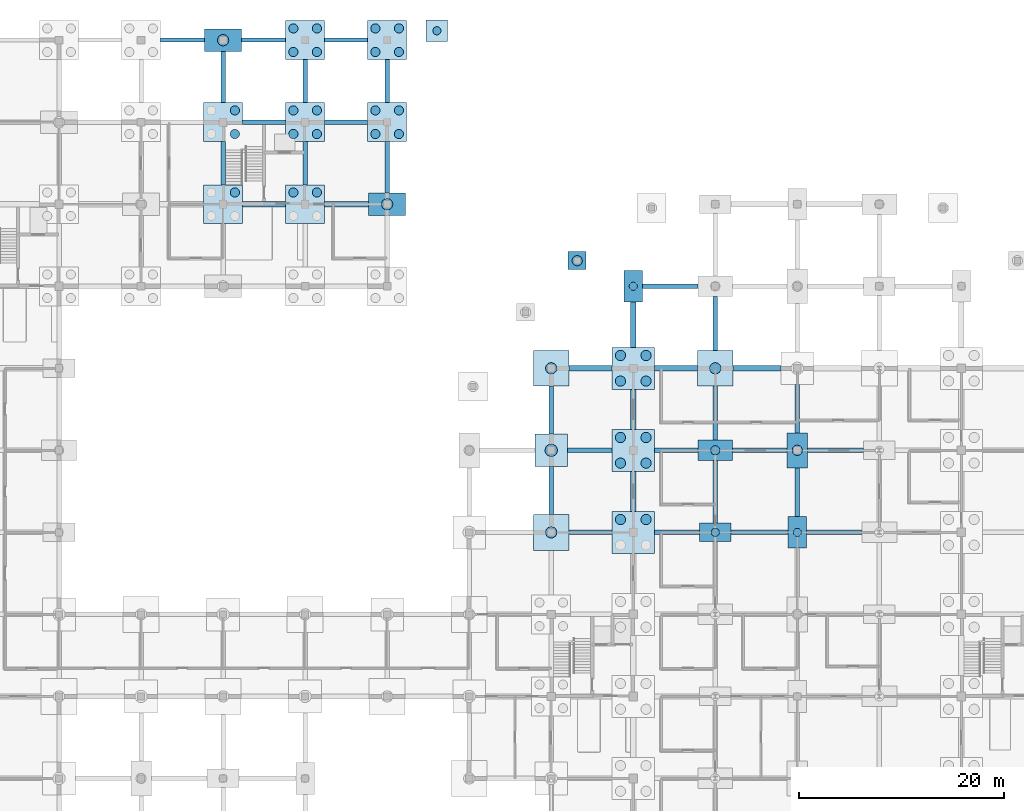
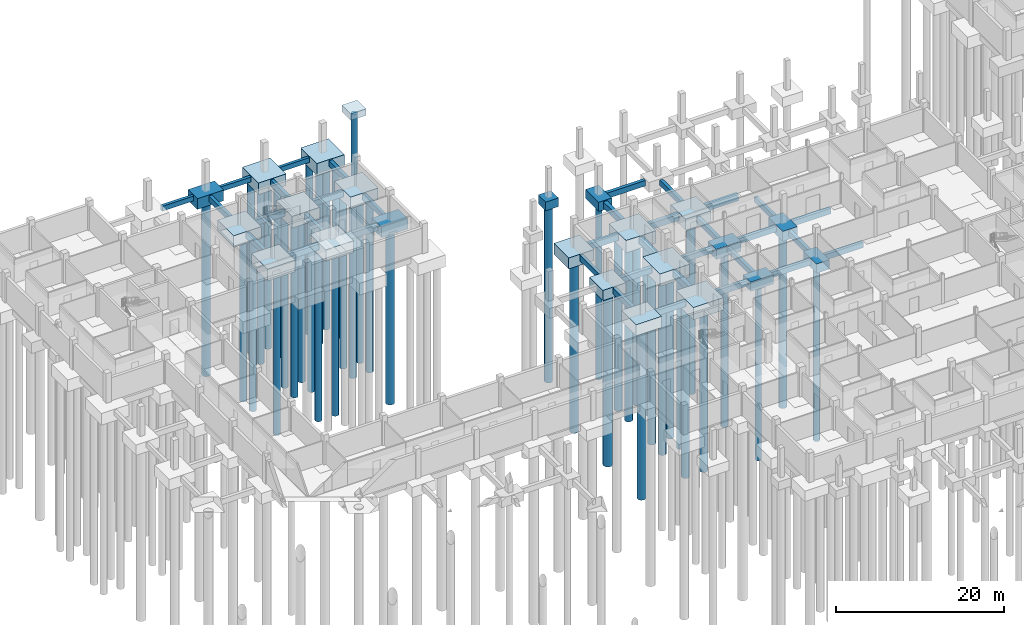
# One storey, part 7 of 48: 58 footings, 44 piles.
"""IFC4 building model written with IfcOpenShell, lengths in metres."""

from ifc_helpers import new_model, si_unit, derived_unit, direction, frame, origin, origin_2d, place, context, subcontext, project, spatial, rectangle, circle, extrude, material, material_profile, profile_set, type_object, element, save


model = new_model("IFC4")

# Units and contexts
model_context = context("Model", 3, precision=1e-05, world=origin(), true_north=direction((0.0, 1.0)))
body_context = subcontext(model_context, "Body", "Model", "MODEL_VIEW")
ifc_project = project(units=[si_unit("LENGTHUNIT", "METRE"), si_unit("AREAUNIT", "SQUARE_METRE"), si_unit("VOLUMEUNIT", "CUBIC_METRE"), si_unit("PLANEANGLEUNIT", "RADIAN"), si_unit("MASSUNIT", "GRAM", prefix="KILO"), derived_unit("THERMALTRANSMITTANCEUNIT", [(si_unit("MASSUNIT", "GRAM", prefix="KILO"), 1), (si_unit("TIMEUNIT", "SECOND"), -3), (si_unit("THERMODYNAMICTEMPERATUREUNIT", "KELVIN"), -1)])], contexts=[model_context])

# Site, building, storey
site_placement = place(None, origin())
site = spatial("IfcSite", under=ifc_project, at=site_placement, CompositionType="ELEMENT")
building_placement = place(site_placement, origin())
building = spatial("IfcBuilding", under=site, at=building_placement, Name="Veyamyaing Civic Hall", CompositionType="ELEMENT")
storey_placement = place(building_placement, frame((0.0, 0.0, -4.2900390625)))
storey = spatial("IfcBuildingStorey", under=building, at=storey_placement, Name="B1", CompositionType="ELEMENT", Elevation=-4.2900390625)

# Footings
ifc_material_1 = material(Name="Concrete C40/50", Category="concrete")
ifc_material_profile_1 = material_profile(ifc_material_1, rectangle(XDim=0.5, YDim=0.85009765625, at=origin_2d()), Name="GB-500X850")
ifc_profile_set_1 = profile_set([ifc_material_profile_1], Name="Concrete C40/50")
footing_type_1 = type_object("IfcFootingType", Name="GB-01", PredefinedType="FOOTING_BEAM", material=ifc_profile_set_1)
footing_1_placement = place(storey_placement, frame((33.89990234375, 96.0, -0.574951171875), z_axis=(1.0, 0.0, 0.0), x_axis=(0.0, 1.0, 0.0)))
element("IfcFooting", 1, at=footing_1_placement, inside=storey, type_object=footing_type_1, Name="Footing tie beam GB-01 X 4-12", PredefinedType="FOOTING_BEAM", context=body_context, shape_type="SweptSolid", body=[
    extrude(rectangle(XDim=0.5, YDim=0.85009765625, at=origin_2d()), origin(), (0.0, 0.0, 1.0), 4.2001953125),
])
footing_2_placement = place(storey_placement, frame((41.89990234375, 96.0, -0.574951171875), z_axis=(1.0, 0.0, 0.0), x_axis=(0.0, 1.0, 0.0)))
element("IfcFooting", 2, at=footing_2_placement, inside=storey, type_object=footing_type_1, Name="Footing tie beam GB-01 X 5-12", PredefinedType="FOOTING_BEAM", context=body_context, shape_type="SweptSolid", body=[
    extrude(rectangle(XDim=0.5, YDim=0.85009765625, at=origin_2d()), origin(), (0.0, 0.0, 1.0), 4.300048828125),
])
ifc_material_profile_2 = material_profile(ifc_material_1, rectangle(XDim=0.449951171875, YDim=0.800048828125, at=origin_2d()), Name="GB-450X800")
ifc_profile_set_2 = profile_set([ifc_material_profile_2], Name="Concrete C40/50")
footing_type_2 = type_object("IfcFootingType", Name="GB-02", PredefinedType="FOOTING_BEAM", material=ifc_profile_set_2)
for number, where, z_axis, x_axis, name in (
    (3, (32.0, 97.89990234375, -0.550048828125), (0.0, 1.0, 0.0), (-1.0, 0.0, 0.0), "Footing tie beam GB-02 Y 4-12"),
    (4, (33.89990234375, 104.0, -0.550048828125), (1.0, 0.0, 0.0), (0.0, 1.0, 0.0), "Footing tie beam GB-02 X 4-13"),
):
    element("IfcFooting", number, at=place(storey_placement, frame(where, z_axis=z_axis, x_axis=x_axis)), inside=storey, type_object=footing_type_2, Name=name, PredefinedType="FOOTING_BEAM", context=body_context, shape_type="SweptSolid", body=[
        extrude(rectangle(XDim=0.449951171875, YDim=0.800048828125, at=origin_2d()), origin(), (0.0, 0.0, 1.0), 4.2001953125),
    ])
footing_3_placement = place(storey_placement, frame((32.0, 105.89990234375, -0.550048828125), z_axis=(0.0, 1.0, 0.0), x_axis=(-1.0, 0.0, 0.0)))
element("IfcFooting", 5, at=footing_3_placement, inside=storey, type_object=footing_type_2, Name="Footing tie beam GB-02 Y 4-13", PredefinedType="FOOTING_BEAM", context=body_context, shape_type="SweptSolid", body=[
    extrude(rectangle(XDim=0.449951171875, YDim=0.800048828125, at=origin_2d()), origin(), (0.0, 0.0, 1.0), 5.0),
])
for number, where, z_axis, x_axis, name in (
    (6, (40.0, 97.89990234375, -0.550048828125), (0.0, 1.0, 0.0), (-1.0, 0.0, 0.0), "Footing tie beam GB-02 Y 5-12"),
    (7, (41.89990234375, 104.0, -0.550048828125), (1.0, 0.0, 0.0), (0.0, 1.0, 0.0), "Footing tie beam GB-02 X 5-13"),
    (8, (40.0, 105.89990234375, -0.550048828125), (0.0, 1.0, 0.0), (-1.0, 0.0, 0.0), "Footing tie beam GB-02 Y 5-13"),
):
    element("IfcFooting", number, at=place(storey_placement, frame(where, z_axis=z_axis, x_axis=x_axis)), inside=storey, type_object=footing_type_2, Name=name, PredefinedType="FOOTING_BEAM", context=body_context, shape_type="SweptSolid", body=[
        extrude(rectangle(XDim=0.449951171875, YDim=0.800048828125, at=origin_2d()), origin(), (0.0, 0.0, 1.0), 4.2001953125),
    ])
footing_4_placement = place(storey_placement, frame((48.0, 97.10009765625, -0.550048828125), z_axis=(0.0, 1.0, 0.0), x_axis=(-1.0, 0.0, 0.0)))
element("IfcFooting", 9, at=footing_4_placement, inside=storey, type_object=footing_type_2, Name="Footing tie beam GB-02 Y 6-12", PredefinedType="FOOTING_BEAM", context=body_context, shape_type="SweptSolid", body=[
    extrude(rectangle(XDim=0.449951171875, YDim=0.800048828125, at=origin_2d()), origin(), (0.0, 0.0, 1.0), 5.0),
])
footing_5_placement = place(storey_placement, frame((48.0, 105.89990234375, -0.550048828125), z_axis=(0.0, 1.0, 0.0), x_axis=(-1.0, 0.0, 0.0)))
element("IfcFooting", 10, at=footing_5_placement, inside=storey, type_object=footing_type_2, Name="Footing tie beam GB-02 Y 6-13", PredefinedType="FOOTING_BEAM", context=body_context, shape_type="SweptSolid", body=[
    extrude(rectangle(XDim=0.449951171875, YDim=0.800048828125, at=origin_2d()), origin(), (0.0, 0.0, 1.0), 4.2001953125),
])
footing_6_placement = place(storey_placement, frame((65.75, 64.0, -0.550048828125), z_axis=(1.0, 0.0, 0.0), x_axis=(0.0, 1.0, 0.0)))
element("IfcFooting", 11, at=footing_6_placement, inside=storey, type_object=footing_type_2, Name="Footing tie beam GB-02 X 8-8", PredefinedType="FOOTING_BEAM", context=body_context, shape_type="SweptSolid", body=[
    extrude(rectangle(XDim=0.449951171875, YDim=0.800048828125, at=origin_2d()), origin(), (0.0, 0.0, 1.0), 4.199951171875),
])
footing_7_placement = place(storey_placement, frame((64.0, 65.75, -0.550048828125), z_axis=(0.0, 1.0, 0.0), x_axis=(-1.0, 0.0, 0.0)))
element("IfcFooting", 12, at=footing_7_placement, inside=storey, type_object=footing_type_2, Name="Footing tie beam GB-02 Y 8-8", PredefinedType="FOOTING_BEAM", context=body_context, shape_type="SweptSolid", body=[
    extrude(rectangle(XDim=0.449951171875, YDim=0.800048828125, at=origin_2d()), origin(), (0.0, 0.0, 1.0), 4.64990234375),
])
footing_8_placement = place(storey_placement, frame((65.60009765625, 72.0, -0.550048828125), z_axis=(1.0, 0.0, 0.0), x_axis=(0.0, 1.0, 0.0)))
element("IfcFooting", 13, at=footing_8_placement, inside=storey, type_object=footing_type_2, Name="Footing tie beam GB-02 X 8-9", PredefinedType="FOOTING_BEAM", context=body_context, shape_type="SweptSolid", body=[
    extrude(rectangle(XDim=0.449951171875, YDim=0.800048828125, at=origin_2d()), origin(), (0.0, 0.0, 1.0), 4.349853515625),
])
footing_9_placement = place(storey_placement, frame((64.0, 73.60009765625, -0.550048828125), z_axis=(0.0, 1.0, 0.0), x_axis=(-1.0, 0.0, 0.0)))
element("IfcFooting", 14, at=footing_9_placement, inside=storey, type_object=footing_type_2, Name="Footing tie beam GB-02 Y 8-9", PredefinedType="FOOTING_BEAM", context=body_context, shape_type="SweptSolid", body=[
    extrude(rectangle(XDim=0.449951171875, YDim=0.800048828125, at=origin_2d()), origin(), (0.0, 0.0, 1.0), 4.64990234375),
])
footing_10_placement = place(storey_placement, frame((74.050048828125, 64.0, -0.550048828125), z_axis=(1.0, 0.0, 0.0), x_axis=(0.0, 1.0, 0.0)))
element("IfcFooting", 15, at=footing_10_placement, inside=storey, type_object=footing_type_2, Name="Footing tie beam GB-02 X 9-8", PredefinedType="FOOTING_BEAM", context=body_context, shape_type="SweptSolid", body=[
    extrude(rectangle(XDim=0.449951171875, YDim=0.800048828125, at=origin_2d()), origin(), (0.0, 0.0, 1.0), 4.39990234375),
])
footing_11_placement = place(storey_placement, frame((74.050048828125, 72.0, -0.550048828125), z_axis=(1.0, 0.0, 0.0), x_axis=(0.0, 1.0, 0.0)))
element("IfcFooting", 16, at=footing_11_placement, inside=storey, type_object=footing_type_2, Name="Footing tie beam GB-02 X 9-9", PredefinedType="FOOTING_BEAM", context=body_context, shape_type="SweptSolid", body=[
    extrude(rectangle(XDim=0.449951171875, YDim=0.800048828125, at=origin_2d()), origin(), (0.0, 0.0, 1.0), 4.25),
])
footing_12_placement = place(storey_placement, frame((72.89990234375, 88.0, -0.550048828125), z_axis=(1.0, 0.0, 0.0), x_axis=(0.0, 1.0, 0.0)))
element("IfcFooting", 17, at=footing_12_placement, inside=storey, type_object=footing_type_2, Name="Footing tie beam GB-02 X 9-11", PredefinedType="FOOTING_BEAM", context=body_context, shape_type="SweptSolid", body=[
    extrude(rectangle(XDim=0.449951171875, YDim=0.800048828125, at=origin_2d()), origin(), (0.0, 0.0, 1.0), 5.400146484375),
])
footing_13_placement = place(storey_placement, frame((81.550048828125, 64.0, -0.550048828125), z_axis=(1.0, 0.0, 0.0), x_axis=(0.0, 1.0, 0.0)))
element("IfcFooting", 18, at=footing_13_placement, inside=storey, type_object=footing_type_2, Name="Footing tie beam GB-02 X 10-8", PredefinedType="FOOTING_BEAM", context=body_context, shape_type="SweptSolid", body=[
    extrude(rectangle(XDim=0.449951171875, YDim=0.800048828125, at=origin_2d()), origin(), (0.0, 0.0, 1.0), 5.550048828125),
])
footing_14_placement = place(storey_placement, frame((80.0, 64.89990234375, -0.550048828125), z_axis=(0.0, 1.0, 0.0), x_axis=(-1.0, 0.0, 0.0)))
element("IfcFooting", 19, at=footing_14_placement, inside=storey, type_object=footing_type_2, Name="Footing tie beam GB-02 Y 10-8", PredefinedType="FOOTING_BEAM", context=body_context, shape_type="SweptSolid", body=[
    extrude(rectangle(XDim=0.449951171875, YDim=0.800048828125, at=origin_2d()), origin(), (0.0, 0.0, 1.0), 6.10009765625),
])
footing_15_placement = place(storey_placement, frame((81.699951171875, 72.0, -0.550048828125), z_axis=(1.0, 0.0, 0.0), x_axis=(0.0, 1.0, 0.0)))
element("IfcFooting", 20, at=footing_15_placement, inside=storey, type_object=footing_type_2, Name="Footing tie beam GB-02 X 10-9", PredefinedType="FOOTING_BEAM", context=body_context, shape_type="SweptSolid", body=[
    extrude(rectangle(XDim=0.449951171875, YDim=0.800048828125, at=origin_2d()), origin(), (0.0, 0.0, 1.0), 5.300048828125),
])
for number, where, z_axis, x_axis, name in (
    (21, (80.0, 73.0, -0.550048828125), (0.0, 1.0, 0.0), (-1.0, 0.0, 0.0), "Footing tie beam GB-02 Y 10-9"),
    (22, (80.0, 81.75, -0.550048828125), (0.0, 1.0, 0.0), (-1.0, 0.0, 0.0), "Footing tie beam GB-02 Y 10-10"),
):
    element("IfcFooting", number, at=place(storey_placement, frame(where, z_axis=z_axis, x_axis=x_axis)), inside=storey, type_object=footing_type_2, Name=name, PredefinedType="FOOTING_BEAM", context=body_context, shape_type="SweptSolid", body=[
        extrude(rectangle(XDim=0.449951171875, YDim=0.800048828125, at=origin_2d()), origin(), (0.0, 0.0, 1.0), 5.25),
    ])
footing_16_placement = place(storey_placement, frame((88.89990234375, 64.0, -0.550048828125), z_axis=(1.0, 0.0, 0.0), x_axis=(0.0, 1.0, 0.0)))
element("IfcFooting", 23, at=footing_16_placement, inside=storey, type_object=footing_type_2, Name="Footing tie beam GB-02 X 11-8", PredefinedType="FOOTING_BEAM", context=body_context, shape_type="SweptSolid", body=[
    extrude(rectangle(XDim=0.449951171875, YDim=0.800048828125, at=origin_2d()), origin(), (0.0, 0.0, 1.0), 5.400146484375),
])
footing_17_placement = place(storey_placement, frame((88.0, 65.550048828125, -0.550048828125), z_axis=(0.0, 1.0, 0.0), x_axis=(-1.0, 0.0, 0.0)))
element("IfcFooting", 24, at=footing_17_placement, inside=storey, type_object=footing_type_2, Name="Footing tie beam GB-02 Y 11-8", PredefinedType="FOOTING_BEAM", context=body_context, shape_type="SweptSolid", body=[
    extrude(rectangle(XDim=0.449951171875, YDim=0.800048828125, at=origin_2d()), origin(), (0.0, 0.0, 1.0), 4.75),
])
footing_18_placement = place(storey_placement, frame((89.0, 72.0, -0.550048828125), z_axis=(1.0, 0.0, 0.0), x_axis=(0.0, 1.0, 0.0)))
element("IfcFooting", 25, at=footing_18_placement, inside=storey, type_object=footing_type_2, Name="Footing tie beam GB-02 X 11-9", PredefinedType="FOOTING_BEAM", context=body_context, shape_type="SweptSolid", body=[
    extrude(rectangle(XDim=0.449951171875, YDim=0.800048828125, at=origin_2d()), origin(), (0.0, 0.0, 1.0), 5.449951171875),
])
footing_19_placement = place(storey_placement, frame((88.0, 73.699951171875, -0.550048828125), z_axis=(0.0, 1.0, 0.0), x_axis=(-1.0, 0.0, 0.0)))
element("IfcFooting", 26, at=footing_19_placement, inside=storey, type_object=footing_type_2, Name="Footing tie beam GB-02 Y 11-9", PredefinedType="FOOTING_BEAM", context=body_context, shape_type="SweptSolid", body=[
    extrude(rectangle(XDim=0.449951171875, YDim=0.800048828125, at=origin_2d()), origin(), (0.0, 0.0, 1.0), 4.699951171875),
])
ifc_material_profile_3 = material_profile(ifc_material_1, rectangle(XDim=0.39990234375, YDim=0.699951171875, at=origin_2d()), Name="GB-400X700")
ifc_profile_set_3 = profile_set([ifc_material_profile_3], Name="Concrete C40/50")
footing_type_3 = type_object("IfcFootingType", Name="GB-03", PredefinedType="FOOTING_BEAM", material=ifc_profile_set_3)
for number, where, z_axis, x_axis, name in (
    (27, (25.89990234375, 112.0, -0.5), (1.0, 0.0, 0.0), (0.0, 1.0, 0.0), "Footing tie beam GB-03 X 3-14"),
    (28, (33.800048828125, 112.0, -0.5), (1.0, 0.0, 0.0), (0.0, 1.0, 0.0), "Footing tie beam GB-03 X 4-14"),
):
    element("IfcFooting", number, at=place(storey_placement, frame(where, z_axis=z_axis, x_axis=x_axis)), inside=storey, type_object=footing_type_3, Name=name, PredefinedType="FOOTING_BEAM", context=body_context, shape_type="SweptSolid", body=[
        extrude(rectangle(XDim=0.39990234375, YDim=0.699951171875, at=origin_2d()), origin(), (0.0, 0.0, 1.0), 4.300048828125),
    ])
footing_20_placement = place(storey_placement, frame((41.89990234375, 112.0, -0.5), z_axis=(1.0, 0.0, 0.0), x_axis=(0.0, 1.0, 0.0)))
element("IfcFooting", 29, at=footing_20_placement, inside=storey, type_object=footing_type_3, Name="Footing tie beam GB-03 X 5-14", PredefinedType="FOOTING_BEAM", context=body_context, shape_type="SweptSolid", body=[
    extrude(rectangle(XDim=0.39990234375, YDim=0.699951171875, at=origin_2d()), origin(), (0.0, 0.0, 1.0), 4.2001953125),
])
ifc_material_profile_4 = material_profile(ifc_material_1, rectangle(XDim=0.550048828125, YDim=0.89990234375, at=origin_2d()), Name="GB-550X900")
ifc_profile_set_4 = profile_set([ifc_material_profile_4], Name="Concrete C40/50")
footing_type_4 = type_object("IfcFootingType", Name="GB-04", PredefinedType="FOOTING_BEAM", material=ifc_profile_set_4)
footing_21_placement = place(storey_placement, frame((65.75, 80.0, -0.599853515625), z_axis=(1.0, 0.0, 0.0), x_axis=(0.0, 1.0, 0.0)))
element("IfcFooting", 30, at=footing_21_placement, inside=storey, type_object=footing_type_4, Name="Footing tie beam GB-04 X 8-10", PredefinedType="FOOTING_BEAM", context=body_context, shape_type="SweptSolid", body=[
    extrude(rectangle(XDim=0.550048828125, YDim=0.89990234375, at=origin_2d()), origin(), (0.0, 0.0, 1.0), 4.199951171875),
])
for number, where, z_axis, x_axis, name in (
    (31, (72.0, 66.050048828125, -0.599853515625), (0.0, 1.0, 0.0), (-1.0, 0.0, 0.0), "Footing tie beam GB-04 Y 9-8"),
    (32, (72.0, 74.050048828125, -0.599853515625), (0.0, 1.0, 0.0), (-1.0, 0.0, 0.0), "Footing tie beam GB-04 Y 9-9"),
):
    element("IfcFooting", number, at=place(storey_placement, frame(where, z_axis=z_axis, x_axis=x_axis)), inside=storey, type_object=footing_type_4, Name=name, PredefinedType="FOOTING_BEAM", context=body_context, shape_type="SweptSolid", body=[
        extrude(rectangle(XDim=0.550048828125, YDim=0.89990234375, at=origin_2d()), origin(), (0.0, 0.0, 1.0), 3.89990234375),
    ])
footing_22_placement = place(storey_placement, frame((74.050048828125, 80.0, -0.599853515625), z_axis=(1.0, 0.0, 0.0), x_axis=(0.0, 1.0, 0.0)))
element("IfcFooting", 33, at=footing_22_placement, inside=storey, type_object=footing_type_4, Name="Footing tie beam GB-04 X 9-10", PredefinedType="FOOTING_BEAM", context=body_context, shape_type="SweptSolid", body=[
    extrude(rectangle(XDim=0.550048828125, YDim=0.89990234375, at=origin_2d()), origin(), (0.0, 0.0, 1.0), 4.199951171875),
])
footing_23_placement = place(storey_placement, frame((72.0, 82.050048828125, -0.599853515625), z_axis=(0.0, 1.0, 0.0), x_axis=(-1.0, 0.0, 0.0)))
element("IfcFooting", 34, at=footing_23_placement, inside=storey, type_object=footing_type_4, Name="Footing tie beam GB-04 Y 9-10", PredefinedType="FOOTING_BEAM", context=body_context, shape_type="SweptSolid", body=[
    extrude(rectangle(XDim=0.550048828125, YDim=0.89990234375, at=origin_2d()), origin(), (0.0, 0.0, 1.0), 4.39990234375),
])
footing_24_placement = place(storey_placement, frame((81.75, 80.0, -0.599853515625), z_axis=(1.0, 0.0, 0.0), x_axis=(0.0, 1.0, 0.0)))
element("IfcFooting", 35, at=footing_24_placement, inside=storey, type_object=footing_type_4, Name="Footing tie beam GB-04 X 10-10", PredefinedType="FOOTING_BEAM", context=body_context, shape_type="SweptSolid", body=[
    extrude(rectangle(XDim=0.550048828125, YDim=0.89990234375, at=origin_2d()), origin(), (0.0, 0.0, 1.0), 4.64990234375),
])

# Piles
ifc_material_2 = material(Name="Concrete C35/45", Category="concrete")
ifc_material_profile_5 = material_profile(ifc_material_2, circle(Radius=0.60009765625, at=origin_2d()), Name="PILE-D1200")
ifc_profile_set_5 = profile_set([ifc_material_profile_5], Name="Concrete C35/45")
pile_type_1 = type_object("IfcPileType", Name="P-01", PredefinedType="BORED", material=ifc_profile_set_5)
pile_1_placement = place(storey_placement, frame((64.0, 72.0, -1.39990234375), z_axis=(0.0, 0.0, -1.0), x_axis=(1.0, 0.0, 0.0)))
element("IfcPile", 36, at=pile_1_placement, inside=storey, type_object=pile_type_1, Name="Bored pile P-01 G08-09.1", PredefinedType="BORED", context=body_context, shape_type="SweptSolid", body=[
    extrude(circle(Radius=0.60009765625, at=origin_2d()), origin(), (0.0, 0.0, 1.0), 25.31005859375),
])
ifc_material_profile_6 = material_profile(ifc_material_2, circle(Radius=0.550048828125, at=origin_2d()), Name="PILE-D1100")
ifc_profile_set_6 = profile_set([ifc_material_profile_6], Name="Concrete C35/45")
pile_type_2 = type_object("IfcPileType", Name="P-02", PredefinedType="BORED", material=ifc_profile_set_6)
for number, where, z_axis, x_axis, name in (
    (37, (32.0, 112.0, -1.449951171875), (0.0, 0.0, -1.0), (1.0, 0.0, 0.0), "Bored pile P-02 G04-14.1"),
    (38, (48.0, 96.0, -1.449951171875), (0.0, 0.0, -1.0), (1.0, 0.0, 0.0), "Bored pile P-02 G06-12.1"),
):
    element("IfcPile", number, at=place(storey_placement, frame(where, z_axis=z_axis, x_axis=x_axis)), inside=storey, type_object=pile_type_2, Name=name, PredefinedType="BORED", context=body_context, shape_type="SweptSolid", body=[
        extrude(circle(Radius=0.550048828125, at=origin_2d()), origin(), (0.0, 0.0, 1.0), 25.260009765625),
    ])
for number, where, z_axis, x_axis, name in (
    (39, (64.0, 64.0, -1.5), (0.0, 0.0, -1.0), (1.0, 0.0, 0.0), "Bored pile P-02 G08-08.1"),
    (40, (64.0, 80.0, -1.5), (0.0, 0.0, -1.0), (1.0, 0.0, 0.0), "Bored pile P-02 G08-10.1"),
    (41, (80.0, 80.0, -1.5), (0.0, 0.0, -1.0), (1.0, 0.0, 0.0), "Bored pile P-02 G10-10.1"),
):
    element("IfcPile", number, at=place(storey_placement, frame(where, z_axis=z_axis, x_axis=x_axis)), inside=storey, type_object=pile_type_2, Name=name, PredefinedType="BORED", context=body_context, shape_type="SweptSolid", body=[
        extrude(circle(Radius=0.550048828125, at=origin_2d()), origin(), (0.0, 0.0, 1.0), 25.2099609375),
    ])
ifc_material_profile_7 = material_profile(ifc_material_2, circle(Radius=0.5, at=origin_2d()), Name="PILE-D1000")
ifc_profile_set_7 = profile_set([ifc_material_profile_7], Name="Concrete C35/45")
pile_type_3 = type_object("IfcPileType", Name="P-03", PredefinedType="BORED", material=ifc_profile_set_7)
for number, where, z_axis, x_axis, name in (
    (42, (70.75, 65.25, -1.699951171875), (0.0, 0.0, -1.0), (1.0, 0.0, 0.0), "Bored pile P-03 G09-08.2"),
    (43, (73.25, 65.25, -1.699951171875), (0.0, 0.0, -1.0), (1.0, 0.0, 0.0), "Bored pile P-03 G09-08.4"),
    (44, (70.75, 70.75, -1.699951171875), (0.0, 0.0, -1.0), (1.0, 0.0, 0.0), "Bored pile P-03 G09-09.1"),
    (45, (70.75, 73.25, -1.699951171875), (0.0, 0.0, -1.0), (1.0, 0.0, 0.0), "Bored pile P-03 G09-09.2"),
    (46, (73.25, 70.75, -1.699951171875), (0.0, 0.0, -1.0), (1.0, 0.0, 0.0), "Bored pile P-03 G09-09.3"),
    (47, (73.25, 73.25, -1.699951171875), (0.0, 0.0, -1.0), (1.0, 0.0, 0.0), "Bored pile P-03 G09-09.4"),
    (48, (70.75, 78.75, -1.699951171875), (0.0, 0.0, -1.0), (1.0, 0.0, 0.0), "Bored pile P-03 G09-10.1"),
    (49, (70.75, 81.25, -1.699951171875), (0.0, 0.0, -1.0), (1.0, 0.0, 0.0), "Bored pile P-03 G09-10.2"),
    (50, (73.25, 78.75, -1.699951171875), (0.0, 0.0, -1.0), (1.0, 0.0, 0.0), "Bored pile P-03 G09-10.3"),
    (51, (73.25, 81.25, -1.699951171875), (0.0, 0.0, -1.0), (1.0, 0.0, 0.0), "Bored pile P-03 G09-10.4"),
):
    element("IfcPile", number, at=place(storey_placement, frame(where, z_axis=z_axis, x_axis=x_axis)), inside=storey, type_object=pile_type_3, Name=name, PredefinedType="BORED", context=body_context, shape_type="SweptSolid", body=[
        extrude(circle(Radius=0.5, at=origin_2d()), origin(), (0.0, 0.0, 1.0), 25.010009765625),
    ])
pile_2_placement = place(storey_placement, frame((88.0, 72.0, -1.349853515625), z_axis=(0.0, 0.0, -1.0), x_axis=(1.0, 0.0, 0.0)))
element("IfcPile", 52, at=pile_2_placement, inside=storey, type_object=pile_type_3, Name="Bored pile P-03 G11-09.1", PredefinedType="BORED", context=body_context, shape_type="SweptSolid", body=[
    extrude(circle(Radius=0.5, at=origin_2d()), origin(), (0.0, 0.0, 1.0), 25.360107421875),
])
pile_3_placement = place(storey_placement, frame((66.533447265625, 90.4951171875, -1.14990234375), z_axis=(0.0, 0.0, -1.0), x_axis=(1.0, 0.0, 0.0)))
element("IfcPile", 53, at=pile_3_placement, inside=storey, type_object=pile_type_3, Name="Bored pile P-03 ARC-NW-05.1", PredefinedType="BORED", context=body_context, shape_type="SweptSolid", body=[
    extrude(circle(Radius=0.5, at=origin_2d()), origin(), (0.0, 0.0, 1.0), 25.56005859375),
])
ifc_material_profile_8 = material_profile(ifc_material_2, circle(Radius=0.449951171875, at=origin_2d()), Name="PILE-D900")
ifc_profile_set_8 = profile_set([ifc_material_profile_8], Name="Concrete C35/45")
pile_type_4 = type_object("IfcPileType", Name="P-04", PredefinedType="BORED", material=ifc_profile_set_8)
for number, where, z_axis, x_axis, name in (
    (54, (33.14990234375, 97.14990234375, -1.599853515625), (0.0, 0.0, -1.0), (1.0, 0.0, 0.0), "Bored pile P-04 G04-12.4"),
    (55, (33.14990234375, 102.85009765625, -1.599853515625), (0.0, 0.0, -1.0), (1.0, 0.0, 0.0), "Bored pile P-04 G04-13.3"),
    (56, (33.14990234375, 105.14990234375, -1.599853515625), (0.0, 0.0, -1.0), (1.0, 0.0, 0.0), "Bored pile P-04 G04-13.4"),
    (57, (38.85009765625, 97.14990234375, -1.599853515625), (0.0, 0.0, -1.0), (1.0, 0.0, 0.0), "Bored pile P-04 G05-12.2"),
    (58, (41.14990234375, 97.14990234375, -1.599853515625), (0.0, 0.0, -1.0), (1.0, 0.0, 0.0), "Bored pile P-04 G05-12.4"),
    (59, (38.85009765625, 102.85009765625, -1.599853515625), (0.0, 0.0, -1.0), (1.0, 0.0, 0.0), "Bored pile P-04 G05-13.1"),
    (60, (38.85009765625, 105.14990234375, -1.599853515625), (0.0, 0.0, -1.0), (1.0, 0.0, 0.0), "Bored pile P-04 G05-13.2"),
    (61, (41.14990234375, 102.85009765625, -1.599853515625), (0.0, 0.0, -1.0), (1.0, 0.0, 0.0), "Bored pile P-04 G05-13.3"),
    (62, (41.14990234375, 105.14990234375, -1.599853515625), (0.0, 0.0, -1.0), (1.0, 0.0, 0.0), "Bored pile P-04 G05-13.4"),
    (63, (38.85009765625, 110.85009765625, -1.599853515625), (0.0, 0.0, -1.0), (1.0, 0.0, 0.0), "Bored pile P-04 G05-14.1"),
    (64, (38.85009765625, 113.14990234375, -1.599853515625), (0.0, 0.0, -1.0), (1.0, 0.0, 0.0), "Bored pile P-04 G05-14.2"),
    (65, (41.14990234375, 110.85009765625, -1.599853515625), (0.0, 0.0, -1.0), (1.0, 0.0, 0.0), "Bored pile P-04 G05-14.3"),
    (66, (41.14990234375, 113.14990234375, -1.599853515625), (0.0, 0.0, -1.0), (1.0, 0.0, 0.0), "Bored pile P-04 G05-14.4"),
    (67, (46.85009765625, 102.85009765625, -1.599853515625), (0.0, 0.0, -1.0), (1.0, 0.0, 0.0), "Bored pile P-04 G06-13.1"),
    (68, (46.85009765625, 105.14990234375, -1.599853515625), (0.0, 0.0, -1.0), (1.0, 0.0, 0.0), "Bored pile P-04 G06-13.2"),
    (69, (49.14990234375, 102.85009765625, -1.599853515625), (0.0, 0.0, -1.0), (1.0, 0.0, 0.0), "Bored pile P-04 G06-13.3"),
    (70, (49.14990234375, 105.14990234375, -1.599853515625), (0.0, 0.0, -1.0), (1.0, 0.0, 0.0), "Bored pile P-04 G06-13.4"),
    (71, (46.85009765625, 110.85009765625, -1.599853515625), (0.0, 0.0, -1.0), (1.0, 0.0, 0.0), "Bored pile P-04 G06-14.1"),
    (72, (46.85009765625, 113.14990234375, -1.599853515625), (0.0, 0.0, -1.0), (1.0, 0.0, 0.0), "Bored pile P-04 G06-14.2"),
    (73, (49.14990234375, 110.85009765625, -1.599853515625), (0.0, 0.0, -1.0), (1.0, 0.0, 0.0), "Bored pile P-04 G06-14.3"),
    (74, (49.14990234375, 113.14990234375, -1.599853515625), (0.0, 0.0, -1.0), (1.0, 0.0, 0.0), "Bored pile P-04 G06-14.4"),
):
    element("IfcPile", number, at=place(storey_placement, frame(where, z_axis=z_axis, x_axis=x_axis)), inside=storey, type_object=pile_type_4, Name=name, PredefinedType="BORED", context=body_context, shape_type="SweptSolid", body=[
        extrude(circle(Radius=0.449951171875, at=origin_2d()), origin(), (0.0, 0.0, 1.0), 25.110107421875),
    ])
pile_4_placement = place(storey_placement, frame((80.0, 72.0, -1.349853515625), z_axis=(0.0, 0.0, -1.0), x_axis=(1.0, 0.0, 0.0)))
element("IfcPile", 75, at=pile_4_placement, inside=storey, type_object=pile_type_4, Name="Bored pile P-04 G10-09.1", PredefinedType="BORED", context=body_context, shape_type="SweptSolid", body=[
    extrude(circle(Radius=0.449951171875, at=origin_2d()), origin(), (0.0, 0.0, 1.0), 25.360107421875),
])
ifc_material_profile_9 = material_profile(ifc_material_2, circle(Radius=0.39990234375, at=origin_2d()), Name="PILE-D800")
ifc_profile_set_9 = profile_set([ifc_material_profile_9], Name="Concrete C35/45")
pile_type_5 = type_object("IfcPileType", Name="P-05", PredefinedType="BORED", material=ifc_profile_set_9)
for number, where, z_axis, x_axis, name in (
    (76, (72.0, 88.0, -1.25), (0.0, 0.0, -1.0), (1.0, 0.0, 0.0), "Bored pile P-05 G09-11.1"),
    (77, (80.0, 64.0, -1.25), (0.0, 0.0, -1.0), (1.0, 0.0, 0.0), "Bored pile P-05 G10-08.1"),
    (78, (88.0, 64.0, -1.25), (0.0, 0.0, -1.0), (1.0, 0.0, 0.0), "Bored pile P-05 G11-08.1"),
):
    element("IfcPile", number, at=place(storey_placement, frame(where, z_axis=z_axis, x_axis=x_axis)), inside=storey, type_object=pile_type_5, Name=name, PredefinedType="BORED", context=body_context, shape_type="SweptSolid", body=[
        extrude(circle(Radius=0.39990234375, at=origin_2d()), origin(), (0.0, 0.0, 1.0), 25.4599609375),
    ])
pile_5_placement = place(storey_placement, frame((52.85009765625, 112.919921875, 3.300048828125), z_axis=(0.0, 0.0, -1.0), x_axis=(1.0, 0.0, 0.0)))
element("IfcPile", 79, at=pile_5_placement, inside=storey, type_object=pile_type_5, Name="Bored pile P-05 RMP-NW.1", PredefinedType="BORED", context=body_context, shape_type="SweptSolid", body=[
    extrude(circle(Radius=0.39990234375, at=origin_2d()), origin(), (0.0, 0.0, 1.0), 30.010009765625),
])

# Footings
footing_type_5 = type_object("IfcFootingType", Name="PC-01", PredefinedType="PILE_CAP", material=ifc_material_1)
for number, where, z_axis, x_axis, name in (
    (80, (32.0, 96.0, -1.69970703125), (0.0, 0.0, 1.0), (1.0, 0.0, 0.0), "Pile cap PC-01 G04-12"),
    (81, (32.0, 104.0, -1.69970703125), (0.0, 0.0, 1.0), (1.0, 0.0, 0.0), "Pile cap PC-01 G04-13"),
    (82, (40.0, 96.0, -1.69970703125), (0.0, 0.0, 1.0), (1.0, 0.0, 0.0), "Pile cap PC-01 G05-12"),
    (83, (40.0, 104.0, -1.69970703125), (0.0, 0.0, 1.0), (1.0, 0.0, 0.0), "Pile cap PC-01 G05-13"),
    (84, (40.0, 112.0, -1.69970703125), (0.0, 0.0, 1.0), (1.0, 0.0, 0.0), "Pile cap PC-01 G05-14"),
    (85, (48.0, 104.0, -1.69970703125), (0.0, 0.0, 1.0), (1.0, 0.0, 0.0), "Pile cap PC-01 G06-13"),
    (86, (48.0, 112.0, -1.69970703125), (0.0, 0.0, 1.0), (1.0, 0.0, 0.0), "Pile cap PC-01 G06-14"),
):
    element("IfcFooting", number, at=place(storey_placement, frame(where, z_axis=z_axis, x_axis=x_axis)), inside=storey, type_object=footing_type_5, Name=name, PredefinedType="PILE_CAP", context=body_context, shape_type="SweptSolid", body=[
        extrude(rectangle(XDim=3.800048828125, YDim=3.800048828125, at=origin_2d()), origin(), (0.0, 0.0, 1.0), 1.699951171875),
    ])
footing_type_6 = type_object("IfcFootingType", Name="PC-02", PredefinedType="PILE_CAP", material=ifc_material_1)
for number, where, z_axis, x_axis, name in (
    (87, (64.0, 64.0, -1.60009765625), (0.0, 0.0, 1.0), (1.0, 0.0, 0.0), "Pile cap PC-02 G08-08"),
    (88, (64.0, 80.0, -1.60009765625), (0.0, 0.0, 1.0), (1.0, 0.0, 0.0), "Pile cap PC-02 G08-10"),
    (89, (80.0, 80.0, -1.60009765625), (0.0, 0.0, 1.0), (1.0, 0.0, 0.0), "Pile cap PC-02 G10-10"),
):
    element("IfcFooting", number, at=place(storey_placement, frame(where, z_axis=z_axis, x_axis=x_axis)), inside=storey, type_object=footing_type_6, Name=name, PredefinedType="PILE_CAP", context=body_context, shape_type="SweptSolid", body=[
        extrude(rectangle(XDim=3.5, YDim=3.5, at=origin_2d()), origin(), (0.0, 0.0, 1.0), 1.60009765625),
    ])
footing_type_7 = type_object("IfcFootingType", Name="PC-03", PredefinedType="PILE_CAP", material=ifc_material_1)
footing_25_placement = place(storey_placement, frame((64.0, 72.0, -1.5), z_axis=(0.0, 0.0, 1.0), x_axis=(1.0, 0.0, 0.0)))
element("IfcFooting", 90, at=footing_25_placement, inside=storey, type_object=footing_type_7, Name="Pile cap PC-03 G08-09", PredefinedType="PILE_CAP", context=body_context, shape_type="SweptSolid", body=[
    extrude(rectangle(XDim=3.199951171875, YDim=3.199951171875, at=origin_2d()), origin(), (0.0, 0.0, 1.0), 1.5),
])
footing_type_8 = type_object("IfcFootingType", Name="PC-04", PredefinedType="PILE_CAP", material=ifc_material_1)
footing_26_placement = place(storey_placement, frame((80.0, 72.0, -1.44970703125), z_axis=(0.0, 0.0, 1.0), x_axis=(1.0, 0.0, 0.0)))
element("IfcFooting", 91, at=footing_26_placement, inside=storey, type_object=footing_type_8, Name="Pile cap PC-04 G10-09", PredefinedType="PILE_CAP", context=body_context, shape_type="SweptSolid", body=[
    extrude(rectangle(XDim=3.39990234375, YDim=2.0, at=origin_2d()), origin(), (0.0, 0.0, 1.0), 1.449951171875),
])
footing_type_9 = type_object("IfcFootingType", Name="PC-05", PredefinedType="PILE_CAP", material=ifc_material_1)
footing_27_placement = place(storey_placement, frame((88.0, 72.0, -1.44970703125), z_axis=(0.0, 0.0, 1.0), x_axis=(1.0, 0.0, 0.0)))
element("IfcFooting", 92, at=footing_27_placement, inside=storey, type_object=footing_type_9, Name="Pile cap PC-05 G11-09", PredefinedType="PILE_CAP", context=body_context, shape_type="SweptSolid", body=[
    extrude(rectangle(XDim=2.0, YDim=3.39990234375, at=origin_2d()), origin(), (0.0, 0.0, 1.0), 1.449951171875),
])
footing_type_10 = type_object("IfcFootingType", Name="PC-06", PredefinedType="PILE_CAP", material=ifc_material_1)
footing_28_placement = place(storey_placement, frame((80.0, 64.0, -1.35009765625), z_axis=(0.0, 0.0, 1.0), x_axis=(1.0, 0.0, 0.0)))
element("IfcFooting", 93, at=footing_28_placement, inside=storey, type_object=footing_type_10, Name="Pile cap PC-06 G10-08", PredefinedType="PILE_CAP", context=body_context, shape_type="SweptSolid", body=[
    extrude(rectangle(XDim=3.10009765625, YDim=1.800048828125, at=origin_2d()), origin(), (0.0, 0.0, 1.0), 1.35009765625),
])
footing_type_11 = type_object("IfcFootingType", Name="PC-07", PredefinedType="PILE_CAP", material=ifc_material_1)
for number, where, z_axis, x_axis, name in (
    (94, (72.0, 88.0, -1.35009765625), (0.0, 0.0, 1.0), (1.0, 0.0, 0.0), "Pile cap PC-07 G09-11"),
    (95, (88.0, 64.0, -1.35009765625), (0.0, 0.0, 1.0), (1.0, 0.0, 0.0), "Pile cap PC-07 G11-08"),
):
    element("IfcFooting", number, at=place(storey_placement, frame(where, z_axis=z_axis, x_axis=x_axis)), inside=storey, type_object=footing_type_11, Name=name, PredefinedType="PILE_CAP", context=body_context, shape_type="SweptSolid", body=[
        extrude(rectangle(XDim=1.800048828125, YDim=3.10009765625, at=origin_2d()), origin(), (0.0, 0.0, 1.0), 1.35009765625),
    ])
footing_type_12 = type_object("IfcFootingType", Name="PC-11", PredefinedType="PILE_CAP", material=ifc_material_1)
for number, where, z_axis, x_axis, name in (
    (96, (72.0, 64.0, -1.7998046875), (0.0, 0.0, 1.0), (1.0, 0.0, 0.0), "Pile cap PC-11 G09-08"),
    (97, (72.0, 72.0, -1.7998046875), (0.0, 0.0, 1.0), (1.0, 0.0, 0.0), "Pile cap PC-11 G09-09"),
    (98, (72.0, 80.0, -1.7998046875), (0.0, 0.0, 1.0), (1.0, 0.0, 0.0), "Pile cap PC-11 G09-10"),
):
    element("IfcFooting", number, at=place(storey_placement, frame(where, z_axis=z_axis, x_axis=x_axis)), inside=storey, type_object=footing_type_12, Name=name, PredefinedType="PILE_CAP", context=body_context, shape_type="SweptSolid", body=[
        extrude(rectangle(XDim=4.10009765625, YDim=4.10009765625, at=origin_2d()), origin(), (0.0, 0.0, 1.0), 1.800048828125),
    ])
footing_type_13 = type_object("IfcFootingType", Name="PC-12", PredefinedType="PILE_CAP", material=ifc_material_1)
for number, where, z_axis, x_axis, name in (
    (99, (32.0, 112.0, -1.5498046875), (0.0, 0.0, 1.0), (1.0, 0.0, 0.0), "Pile cap PC-12 G04-14"),
    (100, (48.0, 96.0, -1.5498046875), (0.0, 0.0, 1.0), (1.0, 0.0, 0.0), "Pile cap PC-12 G06-12"),
):
    element("IfcFooting", number, at=place(storey_placement, frame(where, z_axis=z_axis, x_axis=x_axis)), inside=storey, type_object=footing_type_13, Name=name, PredefinedType="PILE_CAP", context=body_context, shape_type="SweptSolid", body=[
        extrude(rectangle(XDim=3.60009765625, YDim=2.199951171875, at=origin_2d()), origin(), (0.0, 0.0, 1.0), 1.550048828125),
    ])
footing_type_14 = type_object("IfcFootingType", Name="PC-13", PredefinedType="PILE_CAP", material=ifc_material_1)
footing_29_placement = place(storey_placement, frame((52.85009765625, 112.919921875, 3.2001953125), z_axis=(0.0, 0.0, 1.0), x_axis=(1.0, 0.0, 0.0)))
element("IfcFooting", 101, at=footing_29_placement, inside=storey, type_object=footing_type_14, Name="Pile cap PC-13 RMP-NW", PredefinedType="PILE_CAP", context=body_context, shape_type="SweptSolid", body=[
    extrude(rectangle(XDim=2.10009765625, YDim=2.10009765625, at=origin_2d()), origin(), (0.0, 0.0, 1.0), 0.949951171875),
])
footing_type_15 = type_object("IfcFootingType", Name="PC-15", PredefinedType="PILE_CAP", material=ifc_material_1)
footing_30_placement = place(storey_placement, frame((66.533447265625, 90.4951171875, -1.25), z_axis=(0.0, 0.0, 1.0), x_axis=(1.0, 0.0, 0.0)))
element("IfcFooting", 102, at=footing_30_placement, inside=storey, type_object=footing_type_15, Name="Pile cap PC-15 ARC-NW-05", PredefinedType="PILE_CAP", context=body_context, shape_type="SweptSolid", body=[
    extrude(rectangle(XDim=1.75, YDim=1.75, at=origin_2d()), origin(), (0.0, 0.0, 1.0), 1.25),
])

save(model, "model.ifc")
